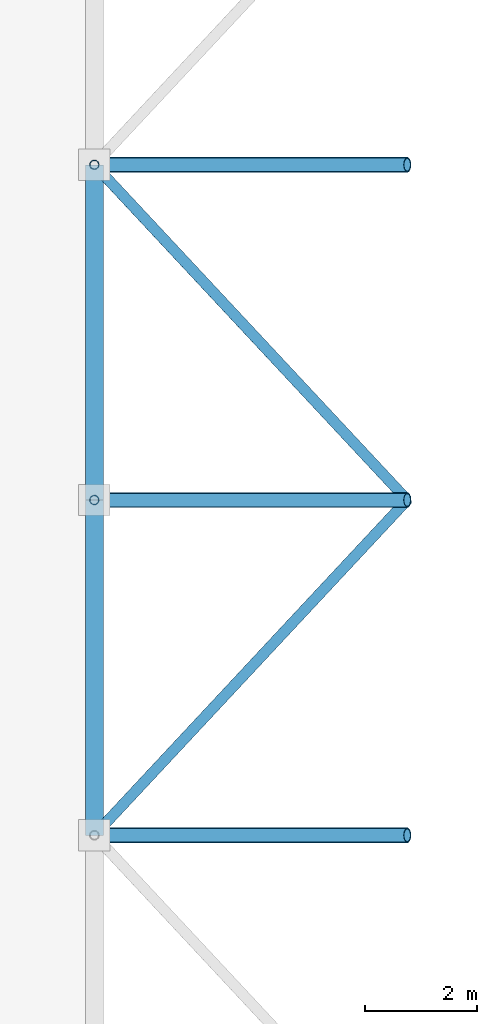
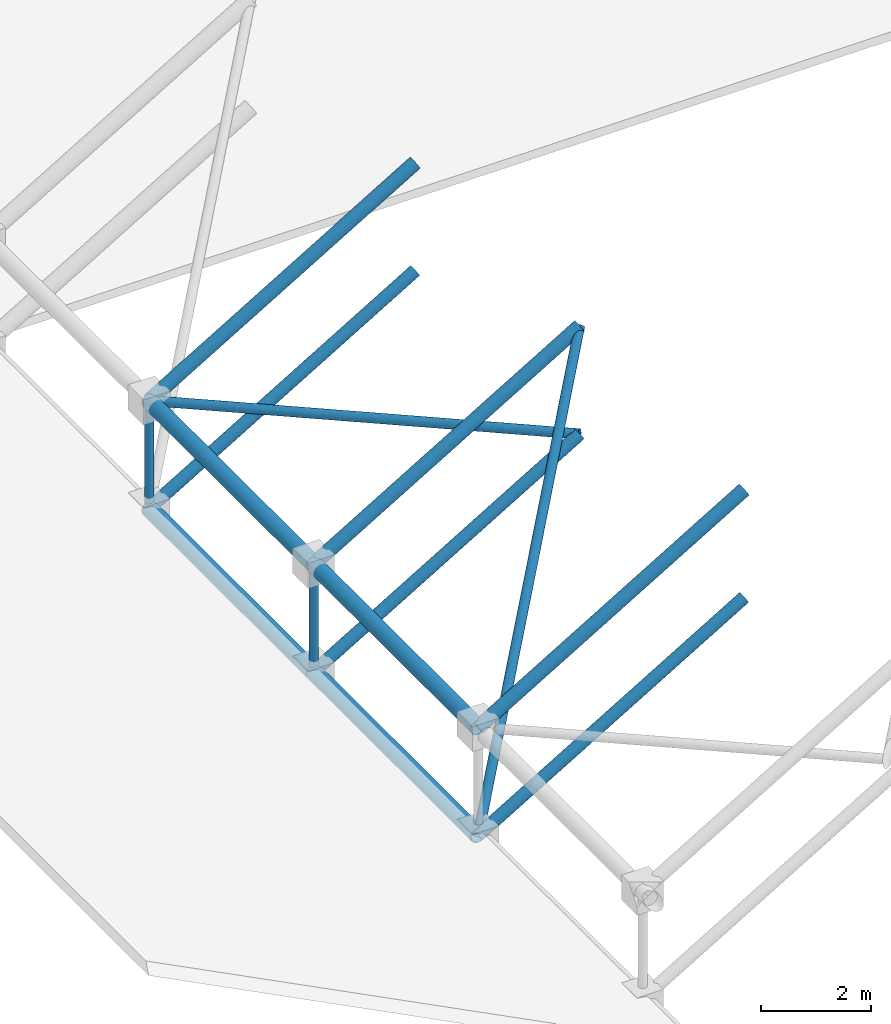
# One storey, part 91 of 148: 14 members.
"""IFC4 building model written with IfcOpenShell, lengths in metres."""

from ifc_helpers import new_model, si_unit, direction, frame, origin, origin_2d, place, context, subcontext, project, spatial, hollow_circle, extrude, material, material_profile, profile_set, type_object, element, save


model = new_model("IFC4")

# Units and contexts
model_context = context("Model", 3, precision=1e-05, world=origin(), true_north=direction((0.0, 1.0)))
body_context = subcontext(model_context, "Body", "Model", "MODEL_VIEW")
ifc_project = project(units=[si_unit("LENGTHUNIT", "METRE"), si_unit("AREAUNIT", "SQUARE_METRE"), si_unit("VOLUMEUNIT", "CUBIC_METRE"), si_unit("PLANEANGLEUNIT", "RADIAN"), si_unit("MASSUNIT", "GRAM", prefix="KILO")], contexts=[model_context])

# Site, building, storey
site_placement = place(None, origin())
site = spatial("IfcSite", under=ifc_project, at=site_placement, CompositionType="ELEMENT")
building_placement = place(site_placement, origin())
building = spatial("IfcBuilding", under=site, at=building_placement, Name="Trelvath General Hospital", CompositionType="ELEMENT")
storey_placement = place(building_placement, frame((0.0, 0.0, 12.89990234375)))
storey = spatial("IfcBuildingStorey", under=building, at=storey_placement, Name="L03", CompositionType="ELEMENT", Elevation=12.89990234375)

# Members
ifc_material_1 = material(Name="Steel S355", Category="steel")
ifc_material_profile_1 = material_profile(ifc_material_1, hollow_circle(Radius=0.122314453125, WallThickness=0.010009765625, at=origin_2d()), Name="CHS244.5x10.0")
ifc_profile_set_1 = profile_set([ifc_material_profile_1], Name="Steel S355")
member_type_1 = type_object("IfcMemberType", Name="SpaceFrameBottomChord CHS244", PredefinedType="CHORD", material=ifc_profile_set_1)
for number, where, z_axis, x_axis, name in (
    (1, (142.800048828125, 49.199951171875, 0.0), (0.859276026628, 0.0, 0.511512179779), (0.0, 1.0, 0.0), "Space Frame Bottom Chord X 1-5"),
    (2, (142.800048828125, 55.199951171875, 0.0), (0.859276026628, 0.0, 0.511512179779), (0.0, 1.0, 0.0), "Space Frame Bottom Chord X 1-6"),
    (3, (142.800048828125, 61.199951171875, 0.0), (0.859276026628, 0.0, 0.511512179779), (0.0, 1.0, 0.0), "Space Frame Bottom Chord X 1-7"),
):
    element("IfcMember", number, at=place(storey_placement, frame(where, z_axis=z_axis, x_axis=x_axis)), inside=storey, type_object=member_type_1, Name=name, PredefinedType="CHORD", context=body_context, shape_type="SweptSolid", body=[
        extrude(hollow_circle(Radius=0.122314453125, WallThickness=0.010009765625, at=origin_2d()), origin(), (0.0, 0.0, 1.0), 6.516845703125),
    ])
ifc_material_2 = material(Name="Steel S355", Category="steel")
ifc_material_profile_2 = material_profile(ifc_material_2, hollow_circle(Radius=0.096923828125, WallThickness=0.008056640625, at=origin_2d()), Name="CHS193.7x8.0")
ifc_profile_set_2 = profile_set([ifc_material_profile_2], Name="Steel S355")
member_type_2 = type_object("IfcMemberType", Name="SpaceFrameDiagHeavy CHS193", PredefinedType="BRACE", material=ifc_profile_set_2)
member_1_placement = place(storey_placement, frame((142.800048828125, 49.199951171875, 0.0), z_axis=(0.559341871551, 0.599310539095, 0.572681018071), x_axis=(-0.731064171106, 0.682308711453, 0.0)))
element("IfcMember", 4, at=member_1_placement, inside=storey, type_object=member_type_2, Name="Space Frame Web Diagonal A 1-5", PredefinedType="BRACE", context=body_context, shape_type="SweptSolid", body=[
    extrude(hollow_circle(Radius=0.096923828125, WallThickness=0.008056640625, at=origin_2d()), origin(), (0.0, 0.0, 1.0), 10.011474609375),
])
member_2_placement = place(storey_placement, frame((148.39990234375, 55.199951171875, 3.33349609375), z_axis=(-0.677938923544, 0.726382133017, -0.112994746685), x_axis=(-0.731064171106, -0.682308711453, 0.0)))
element("IfcMember", 5, at=member_2_placement, inside=storey, type_object=member_type_2, Name="Space Frame Web Diagonal B 1-6", PredefinedType="BRACE", context=body_context, shape_type="SweptSolid", body=[
    extrude(hollow_circle(Radius=0.096923828125, WallThickness=0.008056640625, at=origin_2d()), origin(), (0.0, 0.0, 1.0), 8.260009765625),
])
ifc_material_3 = material(Name="Steel S355", Category="steel")
ifc_material_profile_3 = material_profile(ifc_material_3, hollow_circle(Radius=0.084228515625, WallThickness=0.008056640625, at=origin_2d()), Name="CHS168.3x8.0")
ifc_profile_set_3 = profile_set([ifc_material_profile_3], Name="Steel S355")
member_type_3 = type_object("IfcMemberType", Name="SpaceFrameDiagStd CHS168", PredefinedType="BRACE", material=ifc_profile_set_3)
for number, where, z_axis, x_axis, name in (
    (6, (142.800048828125, 55.199951171875, 0.0), (0.0, 0.0, 1.0), (1.0, 0.0, 0.0), "Space Frame Web Post 1-6"),
    (7, (142.800048828125, 61.199951171875, 0.0), (0.0, 0.0, 1.0), (1.0, 0.0, 0.0), "Space Frame Web Post 1-7"),
):
    element("IfcMember", number, at=place(storey_placement, frame(where, z_axis=z_axis, x_axis=x_axis)), inside=storey, type_object=member_type_3, Name=name, PredefinedType="BRACE", context=body_context, shape_type="SweptSolid", body=[
        extrude(hollow_circle(Radius=0.084228515625, WallThickness=0.008056640625, at=origin_2d()), origin(), (0.0, 0.0, 1.0), 2.400146484375),
    ])
ifc_material_4 = material(Name="Steel S355", Category="steel")
ifc_material_profile_4 = material_profile(ifc_material_4, hollow_circle(Radius=0.161865234375, WallThickness=0.012451171875, at=origin_2d()), Name="CHS323.9x12.5")
ifc_profile_set_4 = profile_set([ifc_material_profile_4], Name="Steel S355")
member_type_4 = type_object("IfcMemberType", Name="SpaceFrameEdgeChord CHS323", PredefinedType="CHORD", material=ifc_profile_set_4)
for number, where, z_axis, x_axis, name in (
    (8, (142.800048828125, 49.199951171875, 0.0), (0.0, 1.0, 0.0), (-1.0, 0.0, 0.0), "Space Frame Bottom Chord Y 1-5"),
    (9, (142.800048828125, 49.199951171875, 2.400146484375), (0.0, 1.0, 0.0), (-1.0, 0.0, 0.0), "Space Frame Top Chord Y 1-5"),
    (10, (142.800048828125, 55.199951171875, 0.0), (0.0, 1.0, 0.0), (-1.0, 0.0, 0.0), "Space Frame Bottom Chord Y 1-6"),
    (11, (142.800048828125, 55.199951171875, 2.400146484375), (0.0, 1.0, 0.0), (-1.0, 0.0, 0.0), "Space Frame Top Chord Y 1-6"),
):
    element("IfcMember", number, at=place(storey_placement, frame(where, z_axis=z_axis, x_axis=x_axis)), inside=storey, type_object=member_type_4, Name=name, PredefinedType="CHORD", context=body_context, shape_type="SweptSolid", body=[
        extrude(hollow_circle(Radius=0.161865234375, WallThickness=0.012451171875, at=origin_2d()), origin(), (0.0, 0.0, 1.0), 6.0),
    ])
ifc_material_5 = material(Name="Steel S355", Category="steel")
ifc_material_profile_5 = material_profile(ifc_material_5, hollow_circle(Radius=0.136474609375, WallThickness=0.012451171875, at=origin_2d()), Name="CHS273.0x12.5")
ifc_profile_set_5 = profile_set([ifc_material_profile_5], Name="Steel S355")
member_type_5 = type_object("IfcMemberType", Name="SpaceFrameTopChord CHS273", PredefinedType="CHORD", material=ifc_profile_set_5)
for number, where, z_axis, x_axis, name in (
    (12, (142.800048828125, 49.199951171875, 2.400146484375), (0.859292492371, 0.0, 0.511484518392), (0.0, 1.0, 0.0), "Space Frame Top Chord X 1-5"),
    (13, (142.800048828125, 55.199951171875, 2.400146484375), (0.859292492371, 0.0, 0.511484518392), (0.0, 1.0, 0.0), "Space Frame Top Chord X 1-6"),
    (14, (142.800048828125, 61.199951171875, 2.400146484375), (0.859292492371, 0.0, 0.511484518392), (0.0, 1.0, 0.0), "Space Frame Top Chord X 1-7"),
):
    element("IfcMember", number, at=place(storey_placement, frame(where, z_axis=z_axis, x_axis=x_axis)), inside=storey, type_object=member_type_5, Name=name, PredefinedType="CHORD", context=body_context, shape_type="SweptSolid", body=[
        extrude(hollow_circle(Radius=0.136474609375, WallThickness=0.012451171875, at=origin_2d()), origin(), (0.0, 0.0, 1.0), 6.516845703125),
    ])

save(model, "model.ifc")
